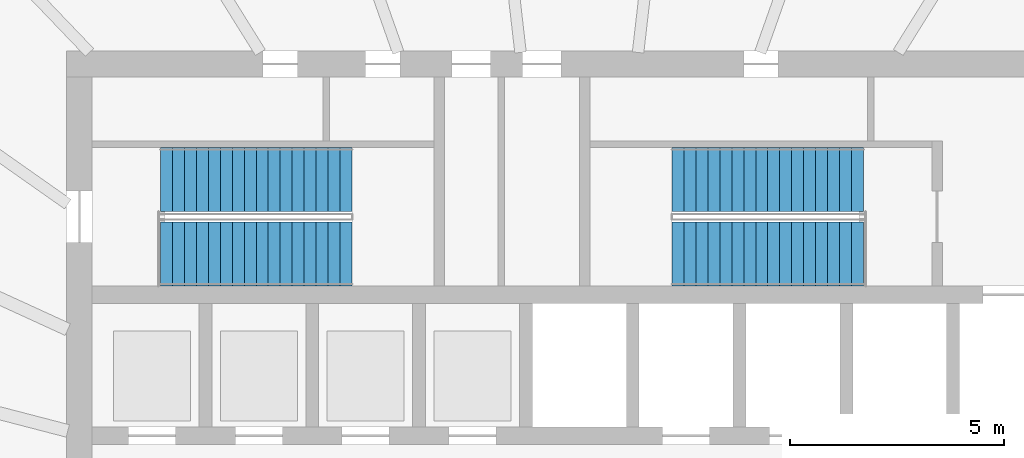
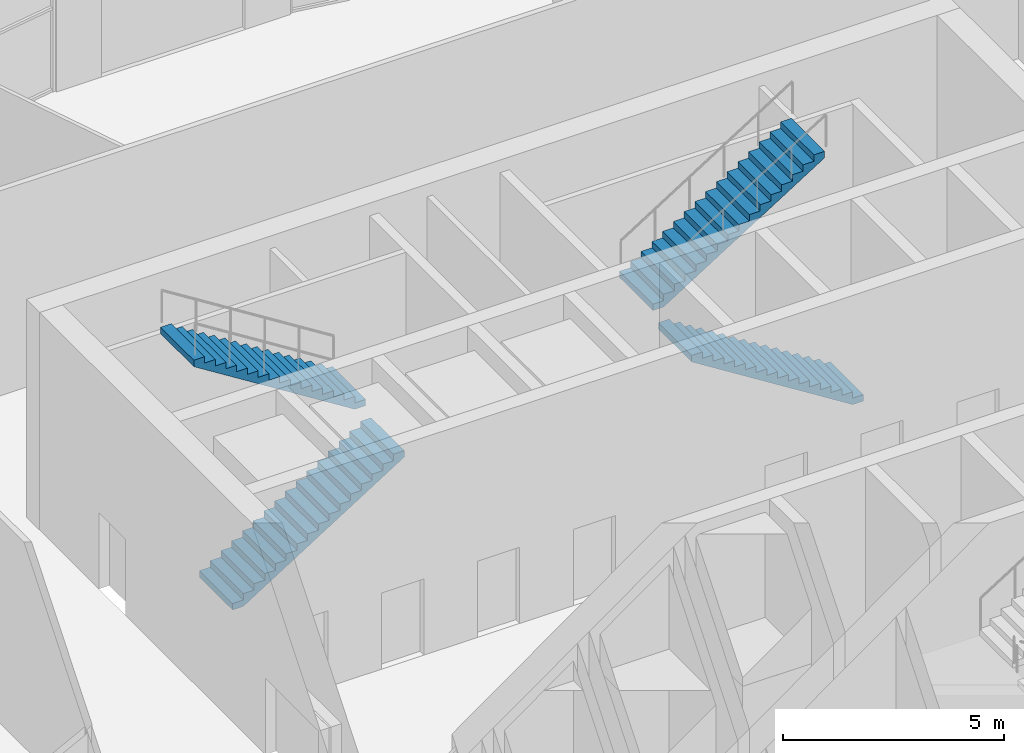
# One storey, part 16 of 19: 4 stair flights, 2 elements without a shape of their own.
"""IFC4 building model written with IfcOpenShell, lengths in metres."""

from ifc_helpers import new_model, si_unit, direction, frame, origin, place, context, subcontext, project, spatial, polyline, outline, extrude, material, type_object, element, aggregate, save


model = new_model("IFC4")

# Units and contexts
model_context = context("Model", 3, precision=1e-05, world=origin(), true_north=direction((0.0, 1.0)))
body_context = subcontext(model_context, "Body", "Model", "MODEL_VIEW")
ifc_project = project(units=[si_unit("LENGTHUNIT", "METRE"), si_unit("AREAUNIT", "SQUARE_METRE"), si_unit("VOLUMEUNIT", "CUBIC_METRE"), si_unit("PLANEANGLEUNIT", "RADIAN"), si_unit("MASSUNIT", "GRAM", prefix="KILO")], contexts=[model_context])

# Site, building, storey
site_placement = place(None, origin())
site = spatial("IfcSite", under=ifc_project, at=site_placement, CompositionType="ELEMENT")
building_placement = place(site_placement, origin())
building = spatial("IfcBuilding", under=site, at=building_placement, Name="Halqa Exchange Tower", CompositionType="ELEMENT")
storey_placement = place(building_placement, frame((0.0, 0.0, 167.5)))
storey = spatial("IfcBuildingStorey", under=building, at=storey_placement, Name="L38", CompositionType="ELEMENT", Elevation=167.5)

# Stair, stair flights
ifc_material = material(Name="Concrete C30/37", Category="concrete")
stair_type = type_object("IfcStairType", Name="Exit stair 1500 wide", PredefinedType="HALF_TURN_STAIR", material=ifc_material)
stair_1_placement = place(storey_placement, origin())
stair_1 = element("IfcStair", 1, at=stair_1_placement, inside=storey, type_object=stair_type, Name="Exit stair ST1", PredefinedType="HALF_TURN_STAIR")
stair_flight_type = type_object("IfcStairFlightType", Name="Stair flight 1500 wide", PredefinedType="STRAIGHT", material=ifc_material)
stair_flight_1_placement = place(storey_placement, frame((-9.800048828125, 7.25, 0.0), z_axis=(0.0, 0.0, 1.0), x_axis=(1.0, 0.0, 0.0)))
stair_flight_1 = element("IfcStairFlight", 2, at=stair_flight_1_placement, type_object=stair_flight_type, Name="ST1 flight 1", NumberOfRisers=17, NumberOfTreads=16, PredefinedType="STRAIGHT", RiserHeight=0.176470588, TreadLength=0.28, context=body_context, shape_type="SweptSolid", body=[
    extrude(outline(polyline([(0.0, 0.0), (0.0, 0.176513671875), (0.280029296875, 0.176513671875), (0.280029296875, 0.35302734375), (0.56005859375, 0.35302734375), (0.56005859375, 0.529296875), (0.840087890625, 0.529296875), (0.840087890625, 0.705810546875), (1.1201171875, 0.705810546875), (1.1201171875, 0.88232421875), (1.39990234375, 0.88232421875), (1.39990234375, 1.058837890625), (1.679931640625, 1.058837890625), (1.679931640625, 1.2353515625), (1.9599609375, 1.2353515625), (1.9599609375, 1.411865234375), (2.239990234375, 1.411865234375), (2.239990234375, 1.588134765625), (2.52001953125, 1.588134765625), (2.52001953125, 1.7646484375), (2.800048828125, 1.7646484375), (2.800048828125, 1.941162109375), (3.080078125, 1.941162109375), (3.080078125, 2.11767578125), (3.360107421875, 2.11767578125), (3.360107421875, 2.294189453125), (3.639892578125, 2.294189453125), (3.639892578125, 2.470703125), (3.919921875, 2.470703125), (3.919921875, 2.64697265625), (4.199951171875, 2.64697265625), (4.199951171875, 2.823486328125), (4.47998046875, 2.823486328125), (4.47998046875, 3.0), (4.47998046875, 2.646240234375), (0.28125, 0.0), (0.0, 0.0)])), frame((0.0, 0.75, 0.0), z_axis=(0.0, -1.0, 0.0), x_axis=(1.0, 0.0, 0.0)), (0.0, 0.0, 1.0), 1.5),
])
stair_flight_2_placement = place(storey_placement, frame((-5.320068359375, 9.0, 3.0), z_axis=(0.0, 0.0, 1.0), x_axis=(-1.0, 0.0, 0.0)))
stair_flight_2 = element("IfcStairFlight", 3, at=stair_flight_2_placement, type_object=stair_flight_type, Name="ST1 flight 2", NumberOfRisers=17, NumberOfTreads=16, PredefinedType="STRAIGHT", RiserHeight=0.176470588, TreadLength=0.28, context=body_context, shape_type="SweptSolid", body=[
    extrude(outline(polyline([(0.0, 0.0), (0.0, 0.176513671875), (0.280029296875, 0.176513671875), (0.280029296875, 0.35302734375), (0.56005859375, 0.35302734375), (0.56005859375, 0.529296875), (0.840087890625, 0.529296875), (0.840087890625, 0.705810546875), (1.1201171875, 0.705810546875), (1.1201171875, 0.88232421875), (1.39990234375, 0.88232421875), (1.39990234375, 1.058837890625), (1.679931640625, 1.058837890625), (1.679931640625, 1.2353515625), (1.9599609375, 1.2353515625), (1.9599609375, 1.411865234375), (2.239990234375, 1.411865234375), (2.239990234375, 1.588134765625), (2.52001953125, 1.588134765625), (2.52001953125, 1.7646484375), (2.800048828125, 1.7646484375), (2.800048828125, 1.941162109375), (3.080078125, 1.941162109375), (3.080078125, 2.11767578125), (3.360107421875, 2.11767578125), (3.360107421875, 2.294189453125), (3.639892578125, 2.294189453125), (3.639892578125, 2.470703125), (3.919921875, 2.470703125), (3.919921875, 2.64697265625), (4.199951171875, 2.64697265625), (4.199951171875, 2.823486328125), (4.47998046875, 2.823486328125), (4.47998046875, 3.0), (4.47998046875, 2.646240234375), (0.28125, 0.0), (0.0, 0.0)])), frame((0.0, 0.75, 0.0), z_axis=(0.0, -1.0, 0.0), x_axis=(1.0, 0.0, 0.0)), (0.0, 0.0, 1.0), 1.5),
])
aggregate(stair_1, [stair_flight_1, stair_flight_2])

stair_2_placement = place(storey_placement, origin())
stair_2 = element("IfcStair", 4, at=stair_2_placement, inside=storey, type_object=stair_type, Name="Exit stair ST2", PredefinedType="HALF_TURN_STAIR")
stair_flight_3_placement = place(storey_placement, frame((6.64990234375, 7.25, 0.0), z_axis=(0.0, 0.0, 1.0), x_axis=(-1.0, 0.0, 0.0)))
stair_flight_3 = element("IfcStairFlight", 5, at=stair_flight_3_placement, type_object=stair_flight_type, Name="ST2 flight 1", NumberOfRisers=17, NumberOfTreads=16, PredefinedType="STRAIGHT", RiserHeight=0.176470588, TreadLength=0.28, context=body_context, shape_type="SweptSolid", body=[
    extrude(outline(polyline([(0.0, 0.0), (0.0, 0.176513671875), (0.280029296875, 0.176513671875), (0.280029296875, 0.35302734375), (0.56005859375, 0.35302734375), (0.56005859375, 0.529296875), (0.840087890625, 0.529296875), (0.840087890625, 0.705810546875), (1.1201171875, 0.705810546875), (1.1201171875, 0.88232421875), (1.39990234375, 0.88232421875), (1.39990234375, 1.058837890625), (1.679931640625, 1.058837890625), (1.679931640625, 1.2353515625), (1.9599609375, 1.2353515625), (1.9599609375, 1.411865234375), (2.239990234375, 1.411865234375), (2.239990234375, 1.588134765625), (2.52001953125, 1.588134765625), (2.52001953125, 1.7646484375), (2.800048828125, 1.7646484375), (2.800048828125, 1.941162109375), (3.080078125, 1.941162109375), (3.080078125, 2.11767578125), (3.360107421875, 2.11767578125), (3.360107421875, 2.294189453125), (3.639892578125, 2.294189453125), (3.639892578125, 2.470703125), (3.919921875, 2.470703125), (3.919921875, 2.64697265625), (4.199951171875, 2.64697265625), (4.199951171875, 2.823486328125), (4.47998046875, 2.823486328125), (4.47998046875, 3.0), (4.47998046875, 2.646240234375), (0.28125, 0.0), (0.0, 0.0)])), frame((0.0, 0.75, 0.0), z_axis=(0.0, -1.0, 0.0), x_axis=(1.0, 0.0, 0.0)), (0.0, 0.0, 1.0), 1.5),
])
stair_flight_4_placement = place(storey_placement, frame((2.169921875, 9.0, 3.0), z_axis=(0.0, 0.0, 1.0), x_axis=(1.0, 0.0, 0.0)))
stair_flight_4 = element("IfcStairFlight", 6, at=stair_flight_4_placement, type_object=stair_flight_type, Name="ST2 flight 2", NumberOfRisers=17, NumberOfTreads=16, PredefinedType="STRAIGHT", RiserHeight=0.176470588, TreadLength=0.28, context=body_context, shape_type="SweptSolid", body=[
    extrude(outline(polyline([(0.0, 0.0), (0.0, 0.176513671875), (0.280029296875, 0.176513671875), (0.280029296875, 0.35302734375), (0.56005859375, 0.35302734375), (0.56005859375, 0.529296875), (0.840087890625, 0.529296875), (0.840087890625, 0.705810546875), (1.1201171875, 0.705810546875), (1.1201171875, 0.88232421875), (1.39990234375, 0.88232421875), (1.39990234375, 1.058837890625), (1.679931640625, 1.058837890625), (1.679931640625, 1.2353515625), (1.9599609375, 1.2353515625), (1.9599609375, 1.411865234375), (2.239990234375, 1.411865234375), (2.239990234375, 1.588134765625), (2.52001953125, 1.588134765625), (2.52001953125, 1.7646484375), (2.800048828125, 1.7646484375), (2.800048828125, 1.941162109375), (3.080078125, 1.941162109375), (3.080078125, 2.11767578125), (3.360107421875, 2.11767578125), (3.360107421875, 2.294189453125), (3.639892578125, 2.294189453125), (3.639892578125, 2.470703125), (3.919921875, 2.470703125), (3.919921875, 2.64697265625), (4.199951171875, 2.64697265625), (4.199951171875, 2.823486328125), (4.47998046875, 2.823486328125), (4.47998046875, 3.0), (4.47998046875, 2.646240234375), (0.28125, 0.0), (0.0, 0.0)])), frame((0.0, 0.75, 0.0), z_axis=(0.0, -1.0, 0.0), x_axis=(1.0, 0.0, 0.0)), (0.0, 0.0, 1.0), 1.5),
])
aggregate(stair_2, [stair_flight_3, stair_flight_4])

save(model, "model.ifc")
